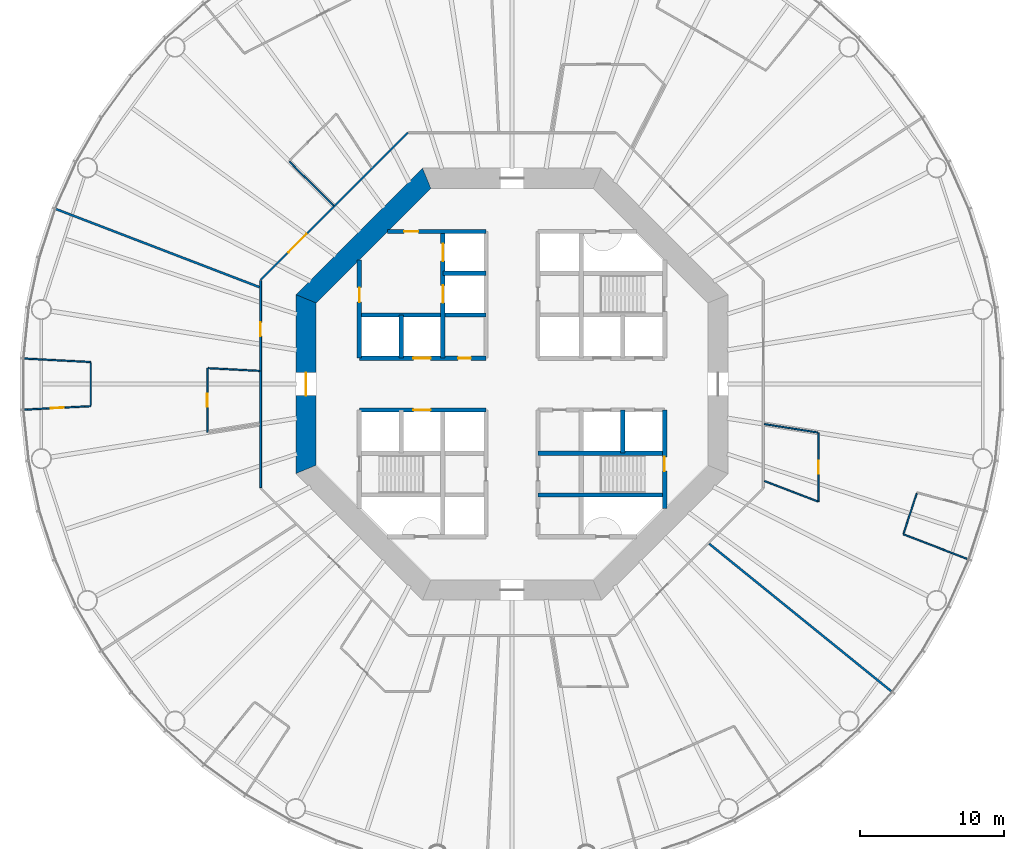
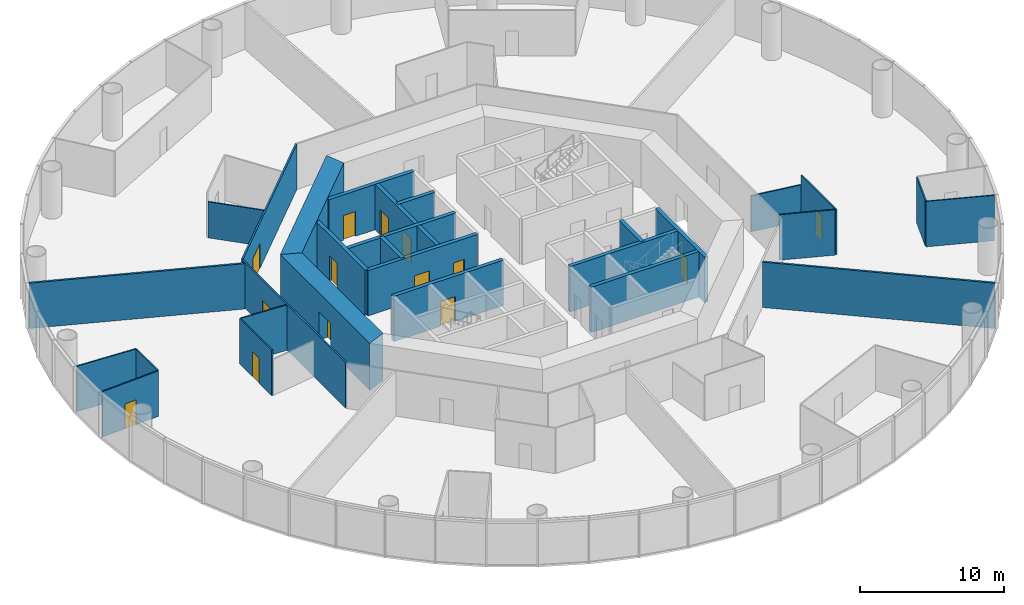
# One storey, part 4 of 13: 29 walls, 14 doors, 14 openings.
"""IFC4 building model written with IfcOpenShell, lengths in metres."""

import ifcopenshell
import ifcopenshell.guid

model = None  # the IFC model being written
_history = None  # IfcOwnerHistory: only IFC2X3 demands one
_inside = {}  # id of a spatial element -> (the spatial element, [elements in it])
_under = {}  # id of a project, library or spatial element -> (it, [spatial elements below it])
_declared = {}  # id of a project -> (the project, [libraries it declares])
_typed = {}  # id of a type object -> (the type object, [elements of that type])
_made_of = {}  # id of a material, layer set ... -> (it, [elements and type objects made of it])


def new_model(schema):
    """Start an empty IFC model of exactly this schema.

    Asked for "IFC4X3", IfcOpenShell would pick the latest addendum, in which some entities
    have other attributes; the version numbers below select the first issue.
    IFC2X3 requires an IfcOwnerHistory on every rooted entity: one is made here for all.
    """
    global model, _history
    if schema == "IFC4X3":
        model = ifcopenshell.file(schema_version=(4, 3, 0, 0))
    else:
        model = ifcopenshell.file(schema=schema)
    _inside.clear()
    _under.clear()
    _declared.clear()
    _typed.clear()
    _made_of.clear()
    _history = None
    if model.schema == "IFC2X3":
        org = make("IfcOrganization", Name="unknown")
        user = make(
            "IfcPersonAndOrganization",
            ThePerson=make("IfcPerson", FamilyName="unknown"),
            TheOrganization=org,
        )
        app = make(
            "IfcApplication",
            ApplicationDeveloper=org,
            Version="unknown",
            ApplicationFullName="unknown",
            ApplicationIdentifier="unknown",
        )
        _history = make(
            "IfcOwnerHistory",
            OwningUser=user,
            OwningApplication=app,
            ChangeAction="ADDED",
            CreationDate=0,
        )
    return model


def make(cls, **values):
    """One entity of the class cls with the attributes given. An attribute that is None is left unset."""
    return model.create_entity(
        cls, **{name: value for name, value in values.items() if value is not None}
    )


def rooted(cls, **values):
    """An entity with a GlobalId (a new one), such as an element, a storey or a relation."""
    return make(cls, GlobalId=ifcopenshell.guid.new(), OwnerHistory=_history, **values)


def si_unit(unit_type, name, prefix=None):
    """IfcSIUnit, for example si_unit("LENGTHUNIT", "METRE", prefix="MILLI")."""
    return make("IfcSIUnit", UnitType=unit_type, Prefix=prefix, Name=name)


def assignment(units):
    """IfcUnitAssignment: the units of a project."""
    return None if units is None else make("IfcUnitAssignment", Units=units)


def point(xyz):
    """IfcCartesianPoint."""
    return None if xyz is None else make("IfcCartesianPoint", Coordinates=xyz)


def direction(xyz):
    """IfcDirection."""
    return None if xyz is None else make("IfcDirection", DirectionRatios=xyz)


def frame(location, z_axis=None, x_axis=None):
    """IfcAxis2Placement3D, a coordinate frame: its origin and axes. An axis left out is left unset."""
    return make(
        "IfcAxis2Placement3D",
        Location=point(location),
        Axis=direction(z_axis),
        RefDirection=direction(x_axis),
    )


def frame_2d(location, x_axis=None):
    """IfcAxis2Placement2D, a coordinate frame in the plane: its origin and x axis."""
    return make(
        "IfcAxis2Placement2D", Location=point(location), RefDirection=direction(x_axis)
    )


def origin():
    """The frame at (0, 0, 0) with its axes left unset."""
    return frame((0.0, 0.0, 0.0))


def place(relative_to, where):
    """IfcLocalPlacement: puts the frame where relative to a parent placement (None: the world)."""
    return make(
        "IfcLocalPlacement", PlacementRelTo=relative_to, RelativePlacement=where
    )


def context(
    kind, dimensions, precision=None, world=None, true_north=None, identifier=None
):
    """IfcGeometricRepresentationContext, for example the 3D "Model" context."""
    return make(
        "IfcGeometricRepresentationContext",
        ContextIdentifier=identifier,
        ContextType=kind,
        CoordinateSpaceDimension=dimensions,
        Precision=precision,
        WorldCoordinateSystem=world,
        TrueNorth=true_north,
    )


def subcontext(parent, identifier, kind, view, scale=None):
    """IfcGeometricRepresentationSubContext, for example "Body" below "Model"."""
    return make(
        "IfcGeometricRepresentationSubContext",
        ContextIdentifier=identifier,
        ContextType=kind,
        ParentContext=parent,
        TargetScale=scale,
        TargetView=view,
    )


def project(units=None, contexts=None):
    """IfcProject with its units and contexts."""
    return rooted(
        "IfcProject",
        Name="project",
        RepresentationContexts=contexts,
        UnitsInContext=assignment(units),
    )


def spatial(cls, under=None, at=None, **own):
    """A site, building, storey or space (cls), placed at a placement, below another one or the project."""
    s = rooted(cls, ObjectPlacement=at, **own)
    if under is not None:
        _under.setdefault(under.id(), (under, []))[1].append(s)
    return s


def polyline(points):
    """IfcPolyline through the points."""
    return make("IfcPolyline", Points=[point(p) for p in points])


def profile(cls, at=None, kind="AREA", **sizes):
    """A parametric profile (cls). Its sizes go by their IFC names, for example OverallWidth=200.0."""
    return make(cls, ProfileType=kind, Position=at, **sizes)


def rectangle(**sizes):
    """IfcRectangleProfileDef."""
    return profile("IfcRectangleProfileDef", **sizes)


def outline(outer, holes=None, kind="AREA"):
    """IfcArbitraryClosedProfileDef: a profile drawn as a closed curve; with holes, ...WithVoids."""
    if holes is None:
        return make("IfcArbitraryClosedProfileDef", ProfileType=kind, OuterCurve=outer)
    return make(
        "IfcArbitraryProfileDefWithVoids",
        ProfileType=kind,
        OuterCurve=outer,
        InnerCurves=holes,
    )


def extrude(swept, where, along, depth):
    """IfcExtrudedAreaSolid: the profile swept, set in the frame where, extruded along a direction by depth."""
    return make(
        "IfcExtrudedAreaSolid",
        SweptArea=swept,
        Position=where,
        ExtrudedDirection=direction(along),
        Depth=depth,
    )


def shape(context_of_items, identifier, shape_type, items):
    """IfcShapeRepresentation: the items that make up one representation, for example the "Body"."""
    return make(
        "IfcShapeRepresentation",
        ContextOfItems=context_of_items,
        RepresentationIdentifier=identifier,
        RepresentationType=shape_type,
        Items=items,
    )


def material(Name=None, Category=None):
    """IfcMaterial."""
    return make("IfcMaterial", Name=Name, Category=Category)


def layer(
    of_material, thickness, ventilated=None, Name=None, Category=None, Priority=None
):
    """IfcMaterialLayer: one layer of a wall or slab, of a material (None: an air gap)."""
    return make(
        "IfcMaterialLayer",
        Material=of_material,
        LayerThickness=thickness,
        IsVentilated=ventilated,
        Name=Name,
        Category=Category,
        Priority=Priority,
    )


def layer_set(layers, Name=None):
    """IfcMaterialLayerSet."""
    return make("IfcMaterialLayerSet", MaterialLayers=layers, LayerSetName=Name)


def made_of(thing, what):
    """Note that an element or type object is made of a material, layer set ...; save() writes the relation."""
    if what is not None:
        _made_of.setdefault(what.id(), (what, []))[1].append(thing)
    return thing


def type_object(cls, material=None, **own):
    """A type object (cls), such as IfcWallType, which elements share."""
    return made_of(rooted(cls, **own), material)


def element(
    cls,
    number,
    at=None,
    inside=None,
    cuts=None,
    type_object=None,
    material=None,
    context=None,
    identifier="Body",
    shape_type=None,
    held_by="IfcProductDefinitionShape",
    body=None,
    shapes=None,
    **own,
):
    """One element of the class cls, such as IfcWall. Its Tag is "e" and its number.

    at: its placement. inside: the storey or other place that contains it. cuts: it is an
    opening in that element (IfcRelVoidsElement). A single representation is given by context,
    identifier, shape_type and body (its items); several are given by shapes. held_by: the class
    of the entity that holds the representations. save() writes the other relations.
    """
    e = rooted(cls, Tag="e%d" % number, ObjectPlacement=at, **own)
    if body is not None:
        shapes = [shape(context, identifier, shape_type, body)]
    if shapes is not None:
        e.Representation = make(held_by, Representations=shapes)
    if inside is not None:
        _inside.setdefault(inside.id(), (inside, []))[1].append(e)
    if cuts is not None:
        rooted(
            "IfcRelVoidsElement", RelatingBuildingElement=cuts, RelatedOpeningElement=e
        )
    if type_object is not None:
        _typed.setdefault(type_object.id(), (type_object, []))[1].append(e)
    return made_of(e, material)


def fill(opening, filler):
    """IfcRelFillsElement: the door or window that sits in an opening."""
    return rooted(
        "IfcRelFillsElement",
        RelatingOpeningElement=opening,
        RelatedBuildingElement=filler,
    )


def aggregate(whole, parts):
    """IfcRelAggregates: a whole, such as a stair, and the parts it consists of."""
    return rooted("IfcRelAggregates", RelatingObject=whole, RelatedObjects=parts)


def save(model, path):
    """Write the relations noted so far, then the file.

    IfcRelAggregates (storeys below a building ...), IfcRelContainedInSpatialStructure (elements
    in a storey), IfcRelDefinesByType, IfcRelAssociatesMaterial and IfcRelDeclares: one each for
    every whole, place, type object, material and project.
    """
    for whole, parts in _under.values():
        aggregate(whole, parts)
    for where, things in _inside.values():
        rooted(
            "IfcRelContainedInSpatialStructure",
            RelatedElements=things,
            RelatingStructure=where,
        )
    for kind, things in _typed.values():
        rooted("IfcRelDefinesByType", RelatedObjects=things, RelatingType=kind)
    for what, things in _made_of.values():
        rooted("IfcRelAssociatesMaterial", RelatedObjects=things, RelatingMaterial=what)
    for by, libraries in _declared.values():
        rooted("IfcRelDeclares", RelatingContext=by, RelatedDefinitions=libraries)
    model.write(path)


model = new_model("IFC4")

# Units and contexts
model_context = context("Model", 3, precision=1e-05, world=origin(), true_north=direction((0.0, 1.0)))
body_context = subcontext(model_context, "Body", "Model", "MODEL_VIEW")
ifc_project = project(units=[si_unit("LENGTHUNIT", "METRE"), si_unit("AREAUNIT", "SQUARE_METRE"), si_unit("VOLUMEUNIT", "CUBIC_METRE"), si_unit("PLANEANGLEUNIT", "RADIAN"), si_unit("MASSUNIT", "GRAM", prefix="KILO")], contexts=[model_context])

# Site, building, storey
site_placement = place(None, origin())
site = spatial("IfcSite", under=ifc_project, at=site_placement, CompositionType="ELEMENT")
building_placement = place(site_placement, origin())
building = spatial("IfcBuilding", under=site, at=building_placement, Name="Entoto Ring Tower", CompositionType="ELEMENT")
storey_placement = place(building_placement, frame((0.0, 0.0, 30.0)))
storey = spatial("IfcBuildingStorey", under=building, at=storey_placement, Name="L05", CompositionType="ELEMENT", Elevation=30.0)

# Wall, opening, door
ifc_material_1 = material(Name="Concrete C40/50", Category="concrete")
ifc_layer_1 = layer(ifc_material_1, 0.300048828125)
ifc_layer_set_1 = layer_set([ifc_layer_1], Name="Concrete C40/50")
wall_type_1 = type_object("IfcWallType", Name="Core enclosure wall 300 mm reinforced concrete", PredefinedType="SOLIDWALL", material=ifc_layer_set_1)
wall_1_placement = place(storey_placement, frame((100.60009765625, 71.36669921875, 0.0), z_axis=(0.0, 0.0, 1.0), x_axis=(0.0, 1.0, 0.0)))
wall_1 = element("IfcWall", 1, at=wall_1_placement, inside=storey, type_object=wall_type_1, Name="wall-L05-001", PredefinedType="SOLIDWALL", context=body_context, shape_type="SweptSolid", body=[
    extrude(rectangle(XDim=6.833251953125, YDim=0.300048828125, at=frame_2d((3.41650390625, 0.0))), origin(), (0.0, 0.0, 1.0), 3.85009765625),
])
opening_1_placement = place(wall_1_placement, frame((2.583251953125, 0.0, 0.0)))
opening_1 = element("IfcOpeningElement", 2, at=opening_1_placement, cuts=wall_1, Name="Opening K-61", PredefinedType="OPENING", context=body_context, shape_type="SweptSolid", body=[
    extrude(rectangle(XDim=1.0, YDim=2.10009765625, at=frame_2d((0.5, 1.050048828125))), frame((0.0, 0.16015625, 0.0), z_axis=(0.0, -1.0, 0.0), x_axis=(1.0, 0.0, 0.0)), (0.0, 0.0, 1.0), 0.320068359375),
])
ifc_material_2 = material(Name="Steel door leaf, fire rated", Category="steel")
ifc_layer_2 = layer(ifc_material_2, 0.050048828125)
ifc_layer_set_2 = layer_set([ifc_layer_2], Name="Steel door leaf, fire rated")
door_type_1 = type_object("IfcDoorType", Name="Fire door FD60 1000 x 2100 single leaf", OperationType="NOTDEFINED", PredefinedType="DOOR", material=ifc_layer_set_2)
door_1_placement = place(opening_1_placement, origin())
door_1 = element("IfcDoor", 3, at=door_1_placement, inside=storey, type_object=door_type_1, Name="Door K-61", OperationType="SINGLE_SWING_RIGHT", OverallHeight=2.10009765625, OverallWidth=1.0, PredefinedType="DOOR", context=body_context, shape_type="SweptSolid", body=[
    extrude(rectangle(XDim=1.0, YDim=2.10009765625, at=frame_2d((0.5, 1.050048828125))), frame((0.0, 0.02490234375, 0.0), z_axis=(0.0, -1.0, 0.0), x_axis=(1.0, 0.0, 0.0)), (0.0, 0.0, 1.0), 0.050048828125),
])
fill(opening_1, door_1)

# Wall
wall_2_placement = place(storey_placement, frame((97.699951171875, 75.199951171875, 0.0), z_axis=(0.0, 0.0, 1.0), x_axis=(0.0, 1.0, 0.0)))
element("IfcWall", 4, at=wall_2_placement, inside=storey, type_object=wall_type_1, Name="wall-L05-003", PredefinedType="SOLIDWALL", context=body_context, shape_type="SweptSolid", body=[
    extrude(rectangle(XDim=3.0, YDim=0.300048828125, at=frame_2d((1.5, 0.0))), origin(), (0.0, 0.0, 1.0), 3.85009765625),
])

# Wall, openings, doors
wall_3_placement = place(storey_placement, frame((85.199951171875, 81.800048828125, 0.0), z_axis=(0.0, 0.0, 1.0), x_axis=(0.0, 1.0, 0.0)))
wall_3 = element("IfcWall", 5, at=wall_3_placement, inside=storey, type_object=wall_type_1, Name="wall-L05-012", PredefinedType="SOLIDWALL", context=body_context, shape_type="SweptSolid", body=[
    extrude(rectangle(XDim=8.800048828125, YDim=0.300048828125, at=frame_2d((4.39990234375, 0.0))), origin(), (0.0, 0.0, 1.0), 3.85009765625),
])
opening_2_placement = place(wall_3_placement, frame((3.85009765625, 0.0, 0.0)))
opening_2 = element("IfcOpeningElement", 6, at=opening_2_placement, cuts=wall_3, Name="Opening LD", PredefinedType="OPENING", context=body_context, shape_type="SweptSolid", body=[
    extrude(rectangle(XDim=1.199951171875, YDim=2.10009765625, at=frame_2d((0.60009765625, 1.050048828125))), frame((0.0, 0.16015625, 0.0), z_axis=(0.0, -1.0, 0.0), x_axis=(1.0, 0.0, 0.0)), (0.0, 0.0, 1.0), 0.320068359375),
])
opening_3_placement = place(wall_3_placement, frame((6.75, 0.0, 0.0)))
opening_3 = element("IfcOpeningElement", 7, at=opening_3_placement, cuts=wall_3, Name="Opening LD", PredefinedType="OPENING", context=body_context, shape_type="SweptSolid", body=[
    extrude(rectangle(XDim=1.199951171875, YDim=2.10009765625, at=frame_2d((0.60009765625, 1.050048828125))), frame((0.0, 0.16015625, 0.0), z_axis=(0.0, -1.0, 0.0), x_axis=(1.0, 0.0, 0.0)), (0.0, 0.0, 1.0), 0.320068359375),
])
ifc_material_3 = material(Name="Steel and glass door leaf", Category="steel")
ifc_layer_3 = layer(ifc_material_3, 0.050048828125)
ifc_layer_set_3 = layer_set([ifc_layer_3], Name="Steel and glass door leaf")
door_type_2 = type_object("IfcDoorType", Name="Landing door 1200 x 2100 sliding", OperationType="DOUBLE_DOOR_SLIDING", PredefinedType="DOOR", material=ifc_layer_set_3)
door_2_placement = place(opening_2_placement, origin())
door_2 = element("IfcDoor", 8, at=door_2_placement, inside=storey, type_object=door_type_2, Name="Landing door FF1", OperationType="SLIDING_TO_RIGHT", OverallHeight=2.10009765625, OverallWidth=1.199951171875, PredefinedType="DOOR", context=body_context, shape_type="SweptSolid", body=[
    extrude(rectangle(XDim=1.199951171875, YDim=2.10009765625, at=frame_2d((0.60009765625, 1.050048828125))), frame((0.0, 0.02490234375, 0.0), z_axis=(0.0, -1.0, 0.0), x_axis=(1.0, 0.0, 0.0)), (0.0, 0.0, 1.0), 0.050048828125),
])
fill(opening_2, door_2)
door_3_placement = place(opening_3_placement, origin())
door_3 = element("IfcDoor", 9, at=door_3_placement, inside=storey, type_object=door_type_2, Name="Landing door FF2", OperationType="SLIDING_TO_RIGHT", OverallHeight=2.10009765625, OverallWidth=1.199951171875, PredefinedType="DOOR", context=body_context, shape_type="SweptSolid", body=[
    extrude(rectangle(XDim=1.199951171875, YDim=2.10009765625, at=frame_2d((0.60009765625, 1.050048828125))), frame((0.0, 0.02490234375, 0.0), z_axis=(0.0, -1.0, 0.0), x_axis=(1.0, 0.0, 0.0)), (0.0, 0.0, 1.0), 0.050048828125),
])
fill(opening_3, door_3)

# Wall
wall_4_placement = place(storey_placement, frame((82.300048828125, 81.800048828125, 0.0), z_axis=(0.0, 0.0, 1.0), x_axis=(0.0, 1.0, 0.0)))
element("IfcWall", 10, at=wall_4_placement, inside=storey, type_object=wall_type_1, Name="wall-L05-014", PredefinedType="SOLIDWALL", context=body_context, shape_type="SweptSolid", body=[
    extrude(rectangle(XDim=3.0, YDim=0.300048828125, at=frame_2d((1.5, 0.0))), origin(), (0.0, 0.0, 1.0), 3.85009765625),
])

# Wall, opening, door
wall_5_placement = place(storey_placement, frame((79.39990234375, 81.800048828125, 0.0), z_axis=(0.0, 0.0, 1.0), x_axis=(0.0, 1.0, 0.0)))
wall_5 = element("IfcWall", 11, at=wall_5_placement, inside=storey, type_object=wall_type_1, Name="wall-L05-016", PredefinedType="SOLIDWALL", context=body_context, shape_type="SweptSolid", body=[
    extrude(rectangle(XDim=6.833251953125, YDim=0.300048828125, at=frame_2d((3.41650390625, 0.0))), origin(), (0.0, 0.0, 1.0), 3.85009765625),
])
opening_4_placement = place(wall_5_placement, frame((3.89990234375, 0.0, 0.0)))
opening_4 = element("IfcOpeningElement", 12, at=opening_4_placement, cuts=wall_5, Name="Opening K-23", PredefinedType="OPENING", context=body_context, shape_type="SweptSolid", body=[
    extrude(rectangle(XDim=1.0, YDim=2.10009765625, at=frame_2d((0.5, 1.050048828125))), frame((0.0, 0.16015625, 0.0), z_axis=(0.0, -1.0, 0.0), x_axis=(1.0, 0.0, 0.0)), (0.0, 0.0, 1.0), 0.320068359375),
])
door_4_placement = place(opening_4_placement, frame((1.0, 0.0, 0.0), z_axis=(0.0, 0.0, 1.0), x_axis=(-1.0, 0.0, 0.0)))
door_4 = element("IfcDoor", 13, at=door_4_placement, inside=storey, type_object=door_type_1, Name="Door K-23", OperationType="SINGLE_SWING_LEFT", OverallHeight=2.10009765625, OverallWidth=1.0, PredefinedType="DOOR", context=body_context, shape_type="SweptSolid", body=[
    extrude(rectangle(XDim=1.0, YDim=2.10009765625, at=frame_2d((0.5, 1.050048828125))), frame((0.0, 0.02490234375, 0.0), z_axis=(0.0, -1.0, 0.0), x_axis=(1.0, 0.0, 0.0)), (0.0, 0.0, 1.0), 0.050048828125),
])
fill(opening_4, door_4)

# Walls
for number, where, z_axis, x_axis, name in (
    (14, (91.800048828125, 72.300048828125, 0.0), (0.0, 0.0, 1.0), (1.0, 0.0, 0.0), "wall-L05-020"),
    (15, (91.800048828125, 75.199951171875, 0.0), (0.0, 0.0, 1.0), (1.0, 0.0, 0.0), "wall-L05-022"),
):
    element("IfcWall", number, at=place(storey_placement, frame(where, z_axis=z_axis, x_axis=x_axis)), inside=storey, type_object=wall_type_1, Name=name, PredefinedType="SOLIDWALL", context=body_context, shape_type="SweptSolid", body=[
        extrude(rectangle(XDim=8.800048828125, YDim=0.300048828125, at=frame_2d((4.39990234375, 0.0))), origin(), (0.0, 0.0, 1.0), 3.85009765625),
    ])

# Wall, opening, door
wall_6_placement = place(storey_placement, frame((79.39990234375, 78.199951171875, 0.0), z_axis=(0.0, 0.0, 1.0), x_axis=(1.0, 0.0, 0.0)))
wall_6 = element("IfcWall", 16, at=wall_6_placement, inside=storey, type_object=wall_type_1, Name="wall-L05-023", PredefinedType="SOLIDWALL", context=body_context, shape_type="SweptSolid", body=[
    extrude(rectangle(XDim=8.800048828125, YDim=0.300048828125, at=frame_2d((4.39990234375, 0.0))), origin(), (0.0, 0.0, 1.0), 3.85009765625),
])
opening_5_placement = place(wall_6_placement, frame((3.75, 0.0, 0.0)))
opening_5 = element("IfcOpeningElement", 17, at=opening_5_placement, cuts=wall_6, Name="Opening LD", PredefinedType="OPENING", context=body_context, shape_type="SweptSolid", body=[
    extrude(rectangle(XDim=1.199951171875, YDim=2.10009765625, at=frame_2d((0.60009765625, 1.050048828125))), frame((0.0, 0.16015625, 0.0), z_axis=(0.0, -1.0, 0.0), x_axis=(1.0, 0.0, 0.0)), (0.0, 0.0, 1.0), 0.320068359375),
])
door_5_placement = place(opening_5_placement, origin())
door_5 = element("IfcDoor", 18, at=door_5_placement, inside=storey, type_object=door_type_2, Name="Landing door LB6-LR", OperationType="SLIDING_TO_RIGHT", OverallHeight=2.10009765625, OverallWidth=1.199951171875, PredefinedType="DOOR", context=body_context, shape_type="SweptSolid", body=[
    extrude(rectangle(XDim=1.199951171875, YDim=2.10009765625, at=frame_2d((0.60009765625, 1.050048828125))), frame((0.0, 0.02490234375, 0.0), z_axis=(0.0, -1.0, 0.0), x_axis=(1.0, 0.0, 0.0)), (0.0, 0.0, 1.0), 0.050048828125),
])
fill(opening_5, door_5)

# Wall, openings, doors
wall_7_placement = place(storey_placement, frame((79.39990234375, 81.800048828125, 0.0), z_axis=(0.0, 0.0, 1.0), x_axis=(1.0, 0.0, 0.0)))
wall_7 = element("IfcWall", 19, at=wall_7_placement, inside=storey, type_object=wall_type_1, Name="wall-L05-025", PredefinedType="SOLIDWALL", context=body_context, shape_type="SweptSolid", body=[
    extrude(rectangle(XDim=8.800048828125, YDim=0.300048828125, at=frame_2d((4.39990234375, 0.0))), origin(), (0.0, 0.0, 1.0), 3.85009765625),
])
opening_6_placement = place(wall_7_placement, frame((3.75, 0.0, 0.0)))
opening_6 = element("IfcOpeningElement", 20, at=opening_6_placement, cuts=wall_7, Name="Opening LD", PredefinedType="OPENING", context=body_context, shape_type="SweptSolid", body=[
    extrude(rectangle(XDim=1.199951171875, YDim=2.10009765625, at=frame_2d((0.60009765625, 1.050048828125))), frame((0.0, 0.16015625, 0.0), z_axis=(0.0, -1.0, 0.0), x_axis=(1.0, 0.0, 0.0)), (0.0, 0.0, 1.0), 0.320068359375),
])
opening_7_placement = place(wall_7_placement, frame((6.85009765625, 0.0, 0.0)))
opening_7 = element("IfcOpeningElement", 21, at=opening_7_placement, cuts=wall_7, Name="Opening K-15", PredefinedType="OPENING", context=body_context, shape_type="SweptSolid", body=[
    extrude(rectangle(XDim=0.89990234375, YDim=2.10009765625, at=frame_2d((0.449951171875, 1.050048828125))), frame((0.0, 0.16015625, 0.0), z_axis=(0.0, -1.0, 0.0), x_axis=(1.0, 0.0, 0.0)), (0.0, 0.0, 1.0), 0.320068359375),
])
ifc_material_4 = material(Name="Steel door leaf, fire rated", Category="steel")
ifc_layer_4 = layer(ifc_material_4, 0.050048828125)
ifc_layer_set_4 = layer_set([ifc_layer_4], Name="Steel door leaf, fire rated")
door_type_3 = type_object("IfcDoorType", Name="Core door 900 x 2100 single leaf", OperationType="NOTDEFINED", PredefinedType="DOOR", material=ifc_layer_set_4)
door_6_placement = place(opening_7_placement, frame((0.89990234375, 0.0, 0.0), z_axis=(0.0, 0.0, 1.0), x_axis=(-1.0, 0.0, 0.0)))
door_6 = element("IfcDoor", 22, at=door_6_placement, inside=storey, type_object=door_type_3, Name="Door K-15", OperationType="SINGLE_SWING_RIGHT", OverallHeight=2.10009765625, OverallWidth=0.89990234375, PredefinedType="DOOR", context=body_context, shape_type="SweptSolid", body=[
    extrude(rectangle(XDim=0.89990234375, YDim=2.10009765625, at=frame_2d((0.449951171875, 1.050048828125))), frame((0.0, 0.02490234375, 0.0), z_axis=(0.0, -1.0, 0.0), x_axis=(1.0, 0.0, 0.0)), (0.0, 0.0, 1.0), 0.050048828125),
])
fill(opening_7, door_6)
door_7_placement = place(opening_6_placement, origin())
door_7 = element("IfcDoor", 23, at=door_7_placement, inside=storey, type_object=door_type_2, Name="Landing door LB3-LR", OperationType="SLIDING_TO_RIGHT", OverallHeight=2.10009765625, OverallWidth=1.199951171875, PredefinedType="DOOR", context=body_context, shape_type="SweptSolid", body=[
    extrude(rectangle(XDim=1.199951171875, YDim=2.10009765625, at=frame_2d((0.60009765625, 1.050048828125))), frame((0.0, 0.02490234375, 0.0), z_axis=(0.0, -1.0, 0.0), x_axis=(1.0, 0.0, 0.0)), (0.0, 0.0, 1.0), 0.050048828125),
])
fill(opening_6, door_7)

# Walls
wall_8_placement = place(storey_placement, frame((79.39990234375, 84.800048828125, 0.0), z_axis=(0.0, 0.0, 1.0), x_axis=(1.0, 0.0, 0.0)))
element("IfcWall", 24, at=wall_8_placement, inside=storey, type_object=wall_type_1, Name="wall-L05-027", PredefinedType="SOLIDWALL", context=body_context, shape_type="SweptSolid", body=[
    extrude(rectangle(XDim=8.800048828125, YDim=0.300048828125, at=frame_2d((4.39990234375, 0.0))), origin(), (0.0, 0.0, 1.0), 3.85009765625),
])
wall_9_placement = place(storey_placement, frame((85.199951171875, 87.699951171875, 0.0), z_axis=(0.0, 0.0, 1.0), x_axis=(1.0, 0.0, 0.0)))
element("IfcWall", 25, at=wall_9_placement, inside=storey, type_object=wall_type_1, Name="wall-L05-029", PredefinedType="SOLIDWALL", context=body_context, shape_type="SweptSolid", body=[
    extrude(rectangle(XDim=3.0, YDim=0.300048828125, at=frame_2d((1.5, 0.0))), origin(), (0.0, 0.0, 1.0), 3.85009765625),
])

# Wall, opening, door
wall_10_placement = place(storey_placement, frame((81.36669921875, 90.60009765625, 0.0), z_axis=(0.0, 0.0, 1.0), x_axis=(1.0, 0.0, 0.0)))
wall_10 = element("IfcWall", 26, at=wall_10_placement, inside=storey, type_object=wall_type_1, Name="wall-L05-031", PredefinedType="SOLIDWALL", context=body_context, shape_type="SweptSolid", body=[
    extrude(rectangle(XDim=6.833251953125, YDim=0.300048828125, at=frame_2d((3.41650390625, 0.0))), origin(), (0.0, 0.0, 1.0), 3.85009765625),
])
opening_8_placement = place(wall_10_placement, frame((1.13330078125, 0.0, 0.0)))
opening_8 = element("IfcOpeningElement", 27, at=opening_8_placement, cuts=wall_10, Name="Opening K-73", PredefinedType="OPENING", context=body_context, shape_type="SweptSolid", body=[
    extrude(rectangle(XDim=1.0, YDim=2.10009765625, at=frame_2d((0.5, 1.050048828125))), frame((0.0, 0.16015625, 0.0), z_axis=(0.0, -1.0, 0.0), x_axis=(1.0, 0.0, 0.0)), (0.0, 0.0, 1.0), 0.320068359375),
])
door_8_placement = place(opening_8_placement, frame((1.0, 0.0, 0.0), z_axis=(0.0, 0.0, 1.0), x_axis=(-1.0, 0.0, 0.0)))
door_8 = element("IfcDoor", 28, at=door_8_placement, inside=storey, type_object=door_type_1, Name="Door K-73", OperationType="SINGLE_SWING_RIGHT", OverallHeight=2.10009765625, OverallWidth=1.0, PredefinedType="DOOR", context=body_context, shape_type="SweptSolid", body=[
    extrude(rectangle(XDim=1.0, YDim=2.10009765625, at=frame_2d((0.5, 1.050048828125))), frame((0.0, 0.02490234375, 0.0), z_axis=(0.0, -1.0, 0.0), x_axis=(1.0, 0.0, 0.0)), (0.0, 0.0, 1.0), 0.050048828125),
])
fill(opening_8, door_8)

# Wall
ifc_material_5 = material(Name="Concrete C60/75", Category="concrete")
ifc_layer_5 = layer(ifc_material_5, 1.39990234375)
ifc_layer_set_5 = layer_set([ifc_layer_5], Name="Concrete C60/75")
wall_type_2 = type_object("IfcWallType", Name="Core shear wall 1400 mm reinforced concrete C60/75", PredefinedType="SHEAR", material=ifc_layer_set_5)
wall_11_placement = place(storey_placement, frame((84.07666015625, 94.300048828125, 0.0), z_axis=(0.0, 0.0, 1.0), x_axis=(-0.707106781187, -0.707106781187, 0.0)))
element("IfcWall", 29, at=wall_11_placement, inside=storey, type_object=wall_type_2, Name="wall-L05-core-3", PredefinedType="SHEAR", context=body_context, shape_type="SweptSolid", body=[
    extrude(outline(polyline([(-0.2900390625, -0.699951171875), (12.136474609375, -0.699951171875), (11.556396484375, 0.699951171875), (0.2900390625, 0.699951171875), (-0.2900390625, -0.699951171875)])), origin(), (0.0, 0.0, 1.0), 4.0),
])

# Wall, opening, door
wall_12_placement = place(storey_placement, frame((75.699951171875, 85.92333984375, 0.0), z_axis=(0.0, 0.0, 1.0), x_axis=(0.0, -1.0, 0.0)))
wall_12 = element("IfcWall", 30, at=wall_12_placement, inside=storey, type_object=wall_type_2, Name="wall-L05-core-4", PredefinedType="SHEAR", context=body_context, shape_type="SweptSolid", body=[
    extrude(outline(polyline([(-0.2900390625, -0.699951171875), (12.13671875, -0.699951171875), (11.556640625, 0.699951171875), (0.2900390625, 0.699951171875), (-0.2900390625, -0.699951171875)])), origin(), (0.0, 0.0, 1.0), 4.0),
])
opening_9_placement = place(wall_12_placement, frame((5.123291015625, 0.0, 0.0)))
opening_9 = element("IfcOpeningElement", 31, at=opening_9_placement, cuts=wall_12, Name="Opening K-03", PredefinedType="OPENING", context=body_context, shape_type="SweptSolid", body=[
    extrude(rectangle(XDim=1.60009765625, YDim=2.39990234375, at=frame_2d((0.800048828125, 1.199951171875))), frame((0.0, 0.7099609375, 0.0), z_axis=(0.0, -1.0, 0.0), x_axis=(1.0, 0.0, 0.0)), (0.0, 0.0, 1.0), 1.419921875),
])
ifc_material_6 = material(Name="Steel door leaf, fire rated", Category="steel")
ifc_layer_6 = layer(ifc_material_6, 0.050048828125)
ifc_layer_set_6 = layer_set([ifc_layer_6], Name="Steel door leaf, fire rated")
door_type_4 = type_object("IfcDoorType", Name="Entrance door FD60 1600 x 2400 double leaf", OperationType="DOUBLE_DOOR_SINGLE_SWING", PredefinedType="DOOR", material=ifc_layer_set_6)
door_9_placement = place(opening_9_placement, origin())
door_9 = element("IfcDoor", 32, at=door_9_placement, inside=storey, type_object=door_type_4, Name="Entrance door K-03", OperationType="DOUBLE_DOOR_SINGLE_SWING", OverallHeight=2.39990234375, OverallWidth=1.60009765625, PredefinedType="DOOR", context=body_context, shape_type="SweptSolid", body=[
    extrude(rectangle(XDim=1.60009765625, YDim=2.39990234375, at=frame_2d((0.800048828125, 1.199951171875))), frame((0.0, 0.02490234375, 0.0), z_axis=(0.0, -1.0, 0.0), x_axis=(1.0, 0.0, 0.0)), (0.0, 0.0, 1.0), 0.050048828125),
])
fill(opening_9, door_9)

ifc_material_7 = material(Name="Fire-resisting plasterboard on steel studs", Category="steel")
ifc_layer_7 = layer(ifc_material_7, 0.125)
ifc_layer_set_7 = layer_set([ifc_layer_7], Name="Fire-resisting plasterboard on steel studs")
wall_type_3 = type_object("IfcWallType", Name="Corridor wall 125 mm one-hour plasterboard on steel studs", PredefinedType="PARTITIONING", material=ifc_layer_set_7)
wall_13_placement = place(storey_placement, frame((72.53759765625, 87.233154296875, 0.0), z_axis=(0.0, 0.0, 1.0), x_axis=(0.707106781187, 0.707106781187, 0.0)))
wall_13 = element("IfcWall", 33, at=wall_13_placement, inside=storey, type_object=wall_type_3, Name="partition-L05-001", PredefinedType="PARTITIONING", context=body_context, shape_type="SweptSolid", body=[
    extrude(rectangle(XDim=14.46630859375, YDim=0.125, at=frame_2d((7.233154296875, 0.0))), origin(), (0.0, 0.0, 1.0), 3.85009765625),
])
opening_10_placement = place(wall_13_placement, frame((2.716796875, 0.0, 0.0)))
opening_10 = element("IfcOpeningElement", 34, at=opening_10_placement, cuts=wall_13, Name="Opening A03-D13", PredefinedType="OPENING", context=body_context, shape_type="SweptSolid", body=[
    extrude(rectangle(XDim=1.800048828125, YDim=2.10009765625, at=frame_2d((0.89990234375, 1.050048828125))), frame((0.0, 0.072509765625, 0.0), z_axis=(0.0, -1.0, 0.0), x_axis=(1.0, 0.0, 0.0)), (0.0, 0.0, 1.0), 0.14501953125),
])
ifc_material_8 = material(Name="Fire-resisting timber door set", Category="wood")
door_type_5 = type_object("IfcDoorType", Name="Door 1800 x 2100 double leaf FD30S fire door", OperationType="DOUBLE_DOOR_SINGLE_SWING", PredefinedType="DOOR", material=ifc_material_8)
door_10_placement = place(opening_10_placement, origin())
door_10 = element("IfcDoor", 35, at=door_10_placement, inside=storey, type_object=door_type_5, Name="Door A03-D13", OperationType="DOUBLE_DOOR_SINGLE_SWING", OverallHeight=2.10009765625, OverallWidth=1.800048828125, PredefinedType="DOOR", context=body_context, shape_type="SweptSolid", body=[
    extrude(rectangle(XDim=1.800048828125, YDim=2.10009765625, at=frame_2d((0.89990234375, 1.050048828125))), frame((0.0, 0.02490234375, 0.0), z_axis=(0.0, -1.0, 0.0), x_axis=(1.0, 0.0, 0.0)), (0.0, 0.0, 1.0), 0.050048828125),
])
fill(opening_10, door_10)

wall_14_placement = place(storey_placement, frame((72.53759765625, 72.810791015625, 0.0), z_axis=(0.0, 0.0, 1.0), x_axis=(0.0, 1.0, 0.0)))
wall_14 = element("IfcWall", 36, at=wall_14_placement, inside=storey, type_object=wall_type_3, Name="partition-L05-005", PredefinedType="PARTITIONING", context=body_context, shape_type="SweptSolid", body=[
    extrude(rectangle(XDim=14.37841796875, YDim=0.125, at=frame_2d((7.189208984375, 0.0))), origin(), (0.0, 0.0, 1.0), 3.85009765625),
])
opening_11_placement = place(wall_14_placement, frame((10.498291015625, 0.0, 0.0)))
opening_11 = element("IfcOpeningElement", 37, at=opening_11_placement, cuts=wall_14, Name="Opening A03-D16", PredefinedType="OPENING", context=body_context, shape_type="SweptSolid", body=[
    extrude(rectangle(XDim=1.0, YDim=2.10009765625, at=frame_2d((0.5, 1.050048828125))), frame((0.0, 0.072509765625, 0.0), z_axis=(0.0, -1.0, 0.0), x_axis=(1.0, 0.0, 0.0)), (0.0, 0.0, 1.0), 0.14501953125),
])
ifc_material_9 = material(Name="Fire-resisting timber door set", Category="wood")
door_type_6 = type_object("IfcDoorType", Name="Door 1000 x 2100 single leaf FD30S fire door", OperationType="NOTDEFINED", PredefinedType="DOOR", material=ifc_material_9)
door_11_placement = place(opening_11_placement, origin())
door_11 = element("IfcDoor", 38, at=door_11_placement, inside=storey, type_object=door_type_6, Name="Door A03-D16", OperationType="SINGLE_SWING_LEFT", OverallHeight=2.10009765625, OverallWidth=1.0, PredefinedType="DOOR", context=body_context, shape_type="SweptSolid", body=[
    extrude(rectangle(XDim=1.0, YDim=2.10009765625, at=frame_2d((0.5, 1.050048828125))), frame((0.0, 0.02490234375, 0.0), z_axis=(0.0, -1.0, 0.0), x_axis=(1.0, 0.0, 0.0)), (0.0, 0.0, 1.0), 0.050048828125),
])
fill(opening_11, door_11)

# Wall
ifc_material_10 = material(Name="Plasterboard on steel studs", Category="steel")
ifc_layer_8 = layer(ifc_material_10, 0.10009765625)
ifc_layer_set_8 = layer_set([ifc_layer_8], Name="Plasterboard on steel studs")
wall_type_4 = type_object("IfcWallType", Name="Partition 100 mm plasterboard on steel studs", PredefinedType="PARTITIONING", material=ifc_layer_set_8)
wall_15_placement = place(storey_placement, frame((121.685791015625, 67.8369140625, 0.0), z_axis=(0.0, 0.0, 1.0), x_axis=(-0.933586897857, 0.358351090622, 0.0)))
element("IfcWall", 39, at=wall_15_placement, inside=storey, type_object=wall_type_4, Name="partition-L05-027", PredefinedType="PARTITIONING", context=body_context, shape_type="SweptSolid", body=[
    extrude(rectangle(XDim=4.820068359375, YDim=0.10009765625, at=frame_2d((2.41015625, 0.0))), origin(), (0.0, 0.0, 1.0), 3.85009765625),
])

# Wall, opening, door
wall_16_placement = place(storey_placement, frame((111.282470703125, 71.830322265625, 0.0), z_axis=(0.0, 0.0, 1.0), x_axis=(0.0, 1.0, 0.0)))
wall_16 = element("IfcWall", 40, at=wall_16_placement, inside=storey, type_object=wall_type_4, Name="partition-L05-029", PredefinedType="PARTITIONING", context=body_context, shape_type="SweptSolid", body=[
    extrude(rectangle(XDim=4.798828125, YDim=0.10009765625, at=frame_2d((2.3994140625, 0.0))), origin(), (0.0, 0.0, 1.0), 3.85009765625),
])
opening_12_placement = place(wall_16_placement, frame((1.949462890625, 0.0, 0.0)))
opening_12 = element("IfcOpeningElement", 41, at=opening_12_placement, cuts=wall_16, Name="Opening A03-D08", PredefinedType="OPENING", context=body_context, shape_type="SweptSolid", body=[
    extrude(rectangle(XDim=0.89990234375, YDim=2.10009765625, at=frame_2d((0.449951171875, 1.050048828125))), frame((0.0, 0.06005859375, 0.0), z_axis=(0.0, -1.0, 0.0), x_axis=(1.0, 0.0, 0.0)), (0.0, 0.0, 1.0), 0.1201171875),
])
ifc_material_11 = material(Name="Veneered timber door leaf in timber frame", Category="wood")
door_type_7 = type_object("IfcDoorType", Name="Door 900 x 2100 single leaf timber veneer", OperationType="NOTDEFINED", PredefinedType="DOOR", material=ifc_material_11)
door_12_placement = place(opening_12_placement, origin())
door_12 = element("IfcDoor", 42, at=door_12_placement, inside=storey, type_object=door_type_7, Name="Door A03-D08", OperationType="SINGLE_SWING_LEFT", OverallHeight=2.10009765625, OverallWidth=0.89990234375, PredefinedType="DOOR", context=body_context, shape_type="SweptSolid", body=[
    extrude(rectangle(XDim=0.89990234375, YDim=2.10009765625, at=frame_2d((0.449951171875, 1.050048828125))), frame((0.0, 0.02490234375, 0.0), z_axis=(0.0, -1.0, 0.0), x_axis=(1.0, 0.0, 0.0)), (0.0, 0.0, 1.0), 0.050048828125),
])
fill(opening_12, door_12)

wall_17_placement = place(storey_placement, frame((56.1064453125, 78.2236328125, 0.0), z_axis=(0.0, 0.0, 1.0), x_axis=(0.998628708708, 0.052351715762, 0.0)))
wall_17 = element("IfcWall", 43, at=wall_17_placement, inside=storey, type_object=wall_type_4, Name="partition-L05-032", PredefinedType="PARTITIONING", context=body_context, shape_type="SweptSolid", body=[
    extrude(rectangle(XDim=4.64013671875, YDim=0.10009765625, at=frame_2d((2.320068359375, 0.0))), origin(), (0.0, 0.0, 1.0), 3.85009765625),
])
opening_13_placement = place(wall_17_placement, frame((1.8701171875, 0.0, 0.0)))
opening_13 = element("IfcOpeningElement", 44, at=opening_13_placement, cuts=wall_17, Name="Opening A03-D18", PredefinedType="OPENING", context=body_context, shape_type="SweptSolid", body=[
    extrude(rectangle(XDim=0.89990234375, YDim=2.10009765625, at=frame_2d((0.449951171875, 1.050048828125))), frame((0.0, 0.06005859375, 0.0), z_axis=(0.0, -1.0, 0.0), x_axis=(1.0, 0.0, 0.0)), (0.0, 0.0, 1.0), 0.1201171875),
])
door_13_placement = place(opening_13_placement, origin())
door_13 = element("IfcDoor", 45, at=door_13_placement, inside=storey, type_object=door_type_7, Name="Door A03-D18", OperationType="SINGLE_SWING_LEFT", OverallHeight=2.10009765625, OverallWidth=0.89990234375, PredefinedType="DOOR", context=body_context, shape_type="SweptSolid", body=[
    extrude(rectangle(XDim=0.89990234375, YDim=2.10009765625, at=frame_2d((0.449951171875, 1.050048828125))), frame((0.0, 0.02490234375, 0.0), z_axis=(0.0, -1.0, 0.0), x_axis=(1.0, 0.0, 0.0)), (0.0, 0.0, 1.0), 0.050048828125),
])
fill(opening_13, door_13)

# Wall
wall_18_placement = place(storey_placement, frame((60.740234375, 81.533447265625, 0.0), z_axis=(0.0, 0.0, 1.0), x_axis=(-0.998628708708, 0.052351715762, 0.0)))
element("IfcWall", 46, at=wall_18_placement, inside=storey, type_object=wall_type_4, Name="partition-L05-033", PredefinedType="PARTITIONING", context=body_context, shape_type="SweptSolid", body=[
    extrude(rectangle(XDim=4.64013671875, YDim=0.10009765625, at=frame_2d((2.320068359375, 0.0))), origin(), (0.0, 0.0, 1.0), 3.85009765625),
])

# Wall, opening, door
wall_19_placement = place(storey_placement, frame((68.83740234375, 76.648193359375, 0.0), z_axis=(0.0, 0.0, 1.0), x_axis=(0.0, 1.0, 0.0)))
wall_19 = element("IfcWall", 47, at=wall_19_placement, inside=storey, type_object=wall_type_4, Name="partition-L05-035", PredefinedType="PARTITIONING", context=body_context, shape_type="SweptSolid", body=[
    extrude(rectangle(XDim=4.4609375, YDim=0.10009765625, at=frame_2d((2.23046875, 0.0))), origin(), (0.0, 0.0, 1.0), 3.85009765625),
])
opening_14_placement = place(wall_19_placement, frame((1.780517578125, 0.0, 0.0)))
opening_14 = element("IfcOpeningElement", 48, at=opening_14_placement, cuts=wall_19, Name="Opening A03-D17", PredefinedType="OPENING", context=body_context, shape_type="SweptSolid", body=[
    extrude(rectangle(XDim=0.89990234375, YDim=2.10009765625, at=frame_2d((0.449951171875, 1.050048828125))), frame((0.0, 0.06005859375, 0.0), z_axis=(0.0, -1.0, 0.0), x_axis=(1.0, 0.0, 0.0)), (0.0, 0.0, 1.0), 0.1201171875),
])
door_14_placement = place(opening_14_placement, frame((0.89990234375, 0.0, 0.0), z_axis=(0.0, 0.0, 1.0), x_axis=(-1.0, 0.0, 0.0)))
door_14 = element("IfcDoor", 49, at=door_14_placement, inside=storey, type_object=door_type_7, Name="Door A03-D17", OperationType="SINGLE_SWING_RIGHT", OverallHeight=2.10009765625, OverallWidth=0.89990234375, PredefinedType="DOOR", context=body_context, shape_type="SweptSolid", body=[
    extrude(rectangle(XDim=0.89990234375, YDim=2.10009765625, at=frame_2d((0.449951171875, 1.050048828125))), frame((0.0, 0.02490234375, 0.0), z_axis=(0.0, -1.0, 0.0), x_axis=(1.0, 0.0, 0.0)), (0.0, 0.0, 1.0), 0.050048828125),
])
fill(opening_14, door_14)

# Walls
wall_20_placement = place(storey_placement, frame((111.214599609375, 71.8564453125, 0.0), z_axis=(0.0, 0.0, 1.0), x_axis=(-0.933566202027, 0.358405003358, 0.0)))
element("IfcWall", 50, at=wall_20_placement, inside=storey, type_object=wall_type_4, Name="partition-L05-040", PredefinedType="PARTITIONING", context=body_context, shape_type="SweptSolid", body=[
    extrude(rectangle(XDim=3.93310546875, YDim=0.10009765625, at=frame_2d((1.966552734375, 0.0))), origin(), (0.0, 0.0, 1.0), 3.85009765625),
])
wall_21_placement = place(storey_placement, frame((72.472412109375, 80.918701171875, 0.0), z_axis=(0.0, 0.0, 1.0), x_axis=(-0.998633016136, 0.052269485204, 0.0)))
element("IfcWall", 51, at=wall_21_placement, inside=storey, type_object=wall_type_4, Name="partition-L05-046", PredefinedType="PARTITIONING", context=body_context, shape_type="SweptSolid", body=[
    extrude(rectangle(XDim=3.587158203125, YDim=0.10009765625, at=frame_2d((1.79345703125, 0.0))), origin(), (0.0, 0.0, 1.0), 3.85009765625),
])
wall_22_placement = place(storey_placement, frame((60.740234375, 78.5166015625, 0.0), z_axis=(0.0, 0.0, 1.0), x_axis=(0.0, 1.0, 0.0)))
element("IfcWall", 52, at=wall_22_placement, inside=storey, type_object=wall_type_4, Name="partition-L05-049", PredefinedType="PARTITIONING", context=body_context, shape_type="SweptSolid", body=[
    extrude(rectangle(XDim=2.966796875, YDim=0.10009765625, at=frame_2d((1.4833984375, 0.0))), origin(), (0.0, 0.0, 1.0), 3.85009765625),
])
wall_23_placement = place(storey_placement, frame((117.201416015625, 69.61181640625, 0.0), z_axis=(0.0, 0.0, 1.0), x_axis=(0.308964359137, 0.95107361691, 0.0)))
element("IfcWall", 53, at=wall_23_placement, inside=storey, type_object=wall_type_4, Name="partition-L05-050", PredefinedType="PARTITIONING", context=body_context, shape_type="SweptSolid", body=[
    extrude(rectangle(XDim=2.9482421875, YDim=0.10009765625, at=frame_2d((1.47412109375, 0.0))), origin(), (0.0, 0.0, 1.0), 3.85009765625),
])
ifc_material_12 = material(Name="Plasterboard on steel studs", Category="steel")
ifc_layer_9 = layer(ifc_material_12, 0.10009765625)
ifc_layer_set_9 = layer_set([ifc_layer_9], Name="Plasterboard on steel studs")
wall_type_5 = type_object("IfcWallType", Name="Partition 100 mm plasterboard on steel studs, 3050 mm high", PredefinedType="PARTITIONING", material=ifc_layer_set_9)
wall_24_placement = place(storey_placement, frame((77.60791015625, 92.39208984375, 0.0), z_axis=(0.0, 0.0, 1.0), x_axis=(-0.707106781187, 0.707106781187, 0.0)))
element("IfcWall", 54, at=wall_24_placement, inside=storey, type_object=wall_type_5, Name="partition-L05-036", PredefinedType="PARTITIONING", context=body_context, shape_type="SweptSolid", body=[
    extrude(rectangle(XDim=4.3271484375, YDim=0.10009765625, at=frame_2d((2.16357421875, 0.0))), origin(), (0.0, 0.0, 1.0), 3.050048828125),
])
wall_25_placement = place(storey_placement, frame((111.23388671875, 76.636962890625, 0.0), z_axis=(0.0, 0.0, 1.0), x_axis=(-0.987689428902, 0.156427593588, 0.0)))
element("IfcWall", 55, at=wall_25_placement, inside=storey, type_object=wall_type_5, Name="partition-L05-043", PredefinedType="PARTITIONING", context=body_context, shape_type="SweptSolid", body=[
    extrude(rectangle(XDim=3.747314453125, YDim=0.10009765625, at=frame_2d((1.87353515625, 0.0))), origin(), (0.0, 0.0, 1.0), 3.050048828125),
])
ifc_material_13 = material(Name="Fire-resisting acoustic plasterboard on steel studs", Category="steel")
ifc_layer_10 = layer(ifc_material_13, 0.14990234375)
ifc_layer_set_10 = layer_set([ifc_layer_10], Name="Fire-resisting acoustic plasterboard on steel studs")
wall_type_6 = type_object("IfcWallType", Name="Party wall 150 mm one-hour acoustic plasterboard on steel studs", PredefinedType="PARTITIONING", material=ifc_layer_set_10)
wall_26_placement = place(storey_placement, frame((116.376220703125, 58.640869140625, 0.0), z_axis=(0.0, 0.0, 1.0), x_axis=(-0.777139938165, 0.629327829123, 0.0)))
element("IfcWall", 56, at=wall_26_placement, inside=storey, type_object=wall_type_6, Name="partition-L05-011", PredefinedType="PARTITIONING", context=body_context, shape_type="SweptSolid", body=[
    extrude(rectangle(XDim=16.310546875, YDim=0.14990234375, at=frame_2d((8.1552734375, 0.0))), origin(), (0.0, 0.0, 1.0), 3.85009765625),
])
wall_27_placement = place(storey_placement, frame((72.4482421875, 86.737548828125, 0.0), z_axis=(0.0, 0.0, 1.0), x_axis=(-0.933580645435, 0.358367379191, 0.0)))
element("IfcWall", 57, at=wall_27_placement, inside=storey, type_object=wall_type_6, Name="partition-L05-014", PredefinedType="PARTITIONING", context=body_context, shape_type="SweptSolid", body=[
    extrude(rectangle(XDim=15.1396484375, YDim=0.14990234375, at=frame_2d((7.56982421875, 0.0))), origin(), (0.0, 0.0, 1.0), 3.85009765625),
])

save(model, "model.ifc")
